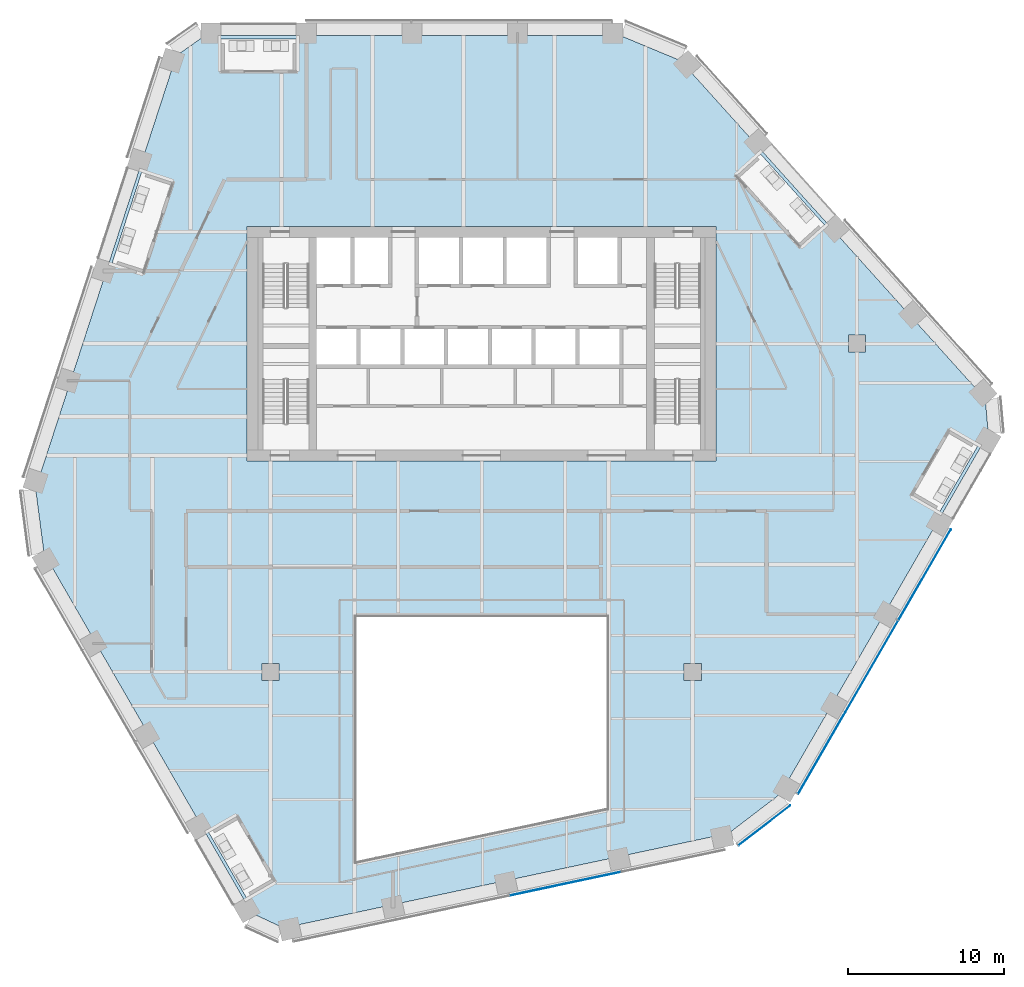
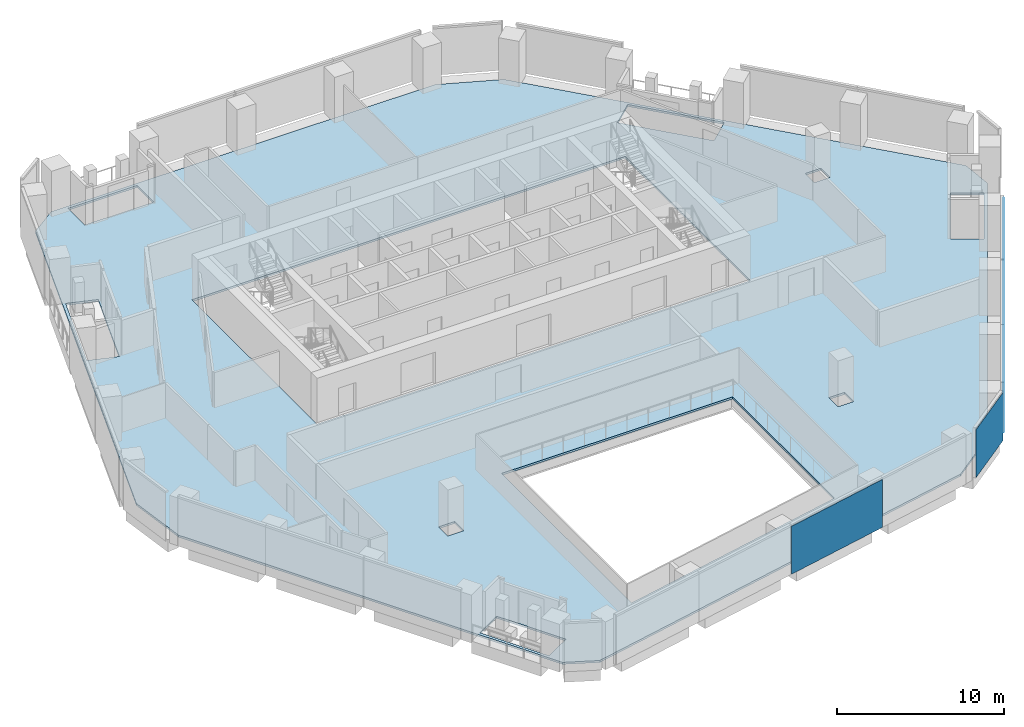
# One storey, part 14 of 26: 5 plates, 1 slab, 3 elements without a shape of their own.
"""IFC4 building model written with IfcOpenShell, lengths in metres."""

from ifc_helpers import new_model, si_unit, direction, frame, origin, origin_2d, place, context, subcontext, project, spatial, polyline, rectangle, outline, extrude, material, layer, layer_set, type_object, element, aggregate, save


model = new_model("IFC4")

# Units and contexts
model_context = context("Model", 3, precision=1e-05, world=origin(), true_north=direction((0.0, 1.0)))
body_context = subcontext(model_context, "Body", "Model", "MODEL_VIEW")
ifc_project = project(units=[si_unit("LENGTHUNIT", "METRE"), si_unit("AREAUNIT", "SQUARE_METRE"), si_unit("VOLUMEUNIT", "CUBIC_METRE"), si_unit("PLANEANGLEUNIT", "RADIAN"), si_unit("MASSUNIT", "GRAM", prefix="KILO")], contexts=[model_context])

# Site, building, storey
site_placement = place(None, origin())
site = spatial("IfcSite", under=ifc_project, at=site_placement, CompositionType="ELEMENT")
building_placement = place(site_placement, origin())
building = spatial("IfcBuilding", under=site, at=building_placement, Name="Isthmus Gate Tower", CompositionType="ELEMENT")
storey_placement = place(building_placement, frame((0.0, 0.0, 203.64990234375)))
storey = spatial("IfcBuildingStorey", under=building, at=storey_placement, Name="L51", CompositionType="ELEMENT", Elevation=203.64990234375)

# Slab
ifc_material_1 = material(Name="Concrete f'c 40 MPa", Category="concrete")
ifc_layer_1 = layer(ifc_material_1, 0.14990234375)
ifc_layer_set_1 = layer_set([ifc_layer_1], Name="COMPOSITE FLOOR SLAB 150")
slab_type = type_object("IfcSlabType", Name="COMPOSITE FLOOR SLAB 150", PredefinedType="FLOOR", material=ifc_layer_set_1)
slab_placement = place(storey_placement, frame((0.0, 0.0, -0.14990234375)))
element("IfcSlab", 1, at=slab_placement, inside=storey, type_object=slab_type, Name="str-slab-L51-1", PredefinedType="FLOOR", context=body_context, shape_type="SweptSolid", body=[
    extrude(outline(polyline([(12.72802734375, 25.599365234375), (32.21044921875, 3.9619140625), (32.410400390625, 1.736083984375), (19.116455078125, -21.289306640625), (15.8056640625, -23.822509765625), (-12.674072265625, -29.876220703125), (-14.701416015625, -28.936279296875), (-27.995361328125, -5.91064453125), (-28.53369140625, -1.77685546875), (-19.536376953125, 25.9140625), (-17.708740234375, 27.199951171875), (8.87890625, 27.199951171875), (12.72802734375, 25.599365234375)]), holes=[polyline([(-13.319580078125, -26.9296875), (-15.7197265625, -22.772705078125), (-17.451904296875, -23.772705078125), (-15.0517578125, -27.9296875), (-13.319580078125, -26.9296875)]), polyline([(8.0, -10.0), (-8.0, -10.0), (-8.0, -25.611083984375), (8.0, -22.210205078125), (8.0, -10.0)]), polyline([(-12.949951171875, -12.949951171875), (-14.050048828125, -12.949951171875), (-14.050048828125, -14.050048828125), (-12.949951171875, -14.050048828125), (-12.949951171875, -12.949951171875)]), polyline([(12.949951171875, -14.050048828125), (14.050048828125, -14.050048828125), (14.050048828125, -12.949951171875), (12.949951171875, -12.949951171875), (12.949951171875, -14.050048828125)]), polyline([(31.713623046875, 0.9296875), (29.981689453125, 1.9296875), (27.58154296875, -2.227294921875), (29.313720703125, -3.227294921875), (31.713623046875, 0.9296875)]), polyline([(-15.0, 15.0), (-15.0, 0.0), (15.0, 0.0), (15.0, 15.0), (-15.0, 15.0)]), polyline([(24.550048828125, 6.949951171875), (24.550048828125, 8.050048828125), (23.449951171875, 8.050048828125), (23.449951171875, 6.949951171875), (24.550048828125, 6.949951171875)]), polyline([(-21.728515625, 12.048095703125), (-19.846435546875, 17.840576171875), (-21.74853515625, 18.458740234375), (-23.630615234375, 12.666015625), (-21.728515625, 12.048095703125)]), polyline([(17.839111328125, 19.624267578125), (16.352783203125, 18.285888671875), (20.42822265625, 13.759521484375), (21.91455078125, 15.097900390625), (17.839111328125, 19.624267578125)]), polyline([(-16.662109375, 27.0), (-16.662109375, 25.0), (-11.86181640625, 25.0), (-11.86181640625, 27.0), (-16.662109375, 27.0)])]), origin(), (0.0, 0.0, 1.0), 0.14990234375),
])

# Curtain wall, plate
ifc_material_2 = material(Name="Aluminium, pale champagne anodised", Category="aluminium")
ifc_layer_2 = layer(ifc_material_2, 0.199951171875)
ifc_layer_set_2 = layer_set([ifc_layer_2], Name="CW-1 UNITISED CURTAIN WALL 200 DEEP")
curtain_wall_type = type_object("IfcCurtainWallType", Name="CW-1 UNITISED CURTAIN WALL 200 DEEP", PredefinedType="NOTDEFINED", material=ifc_layer_set_2)
curtain_wall_1_placement = place(storey_placement, origin())
curtain_wall_1 = element("IfcCurtainWall", 2, at=curtain_wall_1_placement, inside=storey, type_object=curtain_wall_type, Name="CW-1 S L51", PredefinedType="NOTDEFINED")
ifc_material_3 = material(Name="Laminated low-iron glass, pale blue tint", Category="glass")
ifc_layer_3 = layer(ifc_material_3, 0.035888671875)
ifc_layer_set_3 = layer_set([ifc_layer_3], Name="CW-1 CLEAR GLASS LITE 36")
plate_type = type_object("IfcPlateType", Name="CW-1 CLEAR GLASS LITE 36", PredefinedType="CURTAIN_PANEL", material=ifc_layer_set_3)
plate_1_placement = place(storey_placement, frame((5.371826171875, -27.044189453125, 0.0), z_axis=(0.0, 0.0, 1.0), x_axis=(0.978147600734, 0.207911690818, 0.0)))
plate_1 = element("IfcPlate", 3, at=plate_1_placement, type_object=plate_type, Name="CW-1 glass lite", PredefinedType="CURTAIN_PANEL", context=body_context, shape_type="SweptSolid", body=[
    extrude(rectangle(XDim=7.330810546875, YDim=0.035888671875, at=origin_2d()), origin(), (0.0, 0.0, 1.0), 3.510009765625),
])
aggregate(curtain_wall_1, [plate_1])

curtain_wall_2_placement = place(storey_placement, origin())
curtain_wall_2 = element("IfcCurtainWall", 4, at=curtain_wall_2_placement, inside=storey, type_object=curtain_wall_type, Name="CW-1 S-SE L51", PredefinedType="NOTDEFINED")
plate_2_placement = place(storey_placement, frame((18.08056640625, -23.318359375, 0.0), z_axis=(0.0, 0.0, 1.0), x_axis=(0.794188594387, 0.607671355706, 0.0)))
plate_2 = element("IfcPlate", 5, at=plate_2_placement, type_object=plate_type, Name="CW-1 glass lite", PredefinedType="CURTAIN_PANEL", context=body_context, shape_type="SweptSolid", body=[
    extrude(rectangle(XDim=4.181396484375, YDim=0.035888671875, at=origin_2d()), origin(), (0.0, 0.0, 1.0), 3.510009765625),
])
aggregate(curtain_wall_2, [plate_2])

# Curtain wall, plates
curtain_wall_3_placement = place(storey_placement, origin())
curtain_wall_3 = element("IfcCurtainWall", 6, at=curtain_wall_3_placement, inside=storey, type_object=curtain_wall_type, Name="CW-1 SE L51", PredefinedType="NOTDEFINED")
plate_3_placement = place(storey_placement, frame((21.752197265625, -18.688232421875, 0.0), z_axis=(0.0, 0.0, 1.0), x_axis=(0.5, 0.866025403784, 0.0)))
plate_3 = element("IfcPlate", 7, at=plate_3_placement, type_object=plate_type, Name="CW-1 glass lite", PredefinedType="CURTAIN_PANEL", context=body_context, shape_type="SweptSolid", body=[
    extrude(rectangle(XDim=6.0400390625, YDim=0.035888671875, at=origin_2d()), origin(), (0.0, 0.0, 1.0), 3.510009765625),
])
plate_4_placement = place(storey_placement, frame((24.94970703125, -13.14990234375, 0.0), z_axis=(0.0, 0.0, 1.0), x_axis=(0.5, 0.866025403784, 0.0)))
plate_4 = element("IfcPlate", 8, at=plate_4_placement, type_object=plate_type, Name="CW-1 glass lite", PredefinedType="CURTAIN_PANEL", context=body_context, shape_type="SweptSolid", body=[
    extrude(rectangle(XDim=6.750244140625, YDim=0.035888671875, at=origin_2d()), origin(), (0.0, 0.0, 1.0), 3.510009765625),
])
plate_5_placement = place(storey_placement, frame((28.339599609375, -7.278076171875, 0.0), z_axis=(0.0, 0.0, 1.0), x_axis=(0.5, 0.866025403784, 0.0)))
plate_5 = element("IfcPlate", 9, at=plate_5_placement, type_object=plate_type, Name="CW-1 glass lite", PredefinedType="CURTAIN_PANEL", context=body_context, shape_type="SweptSolid", body=[
    extrude(rectangle(XDim=6.690185546875, YDim=0.035888671875, at=origin_2d()), origin(), (0.0, 0.0, 1.0), 3.510009765625),
])
aggregate(curtain_wall_3, [plate_3, plate_4, plate_5])

save(model, "model.ifc")
